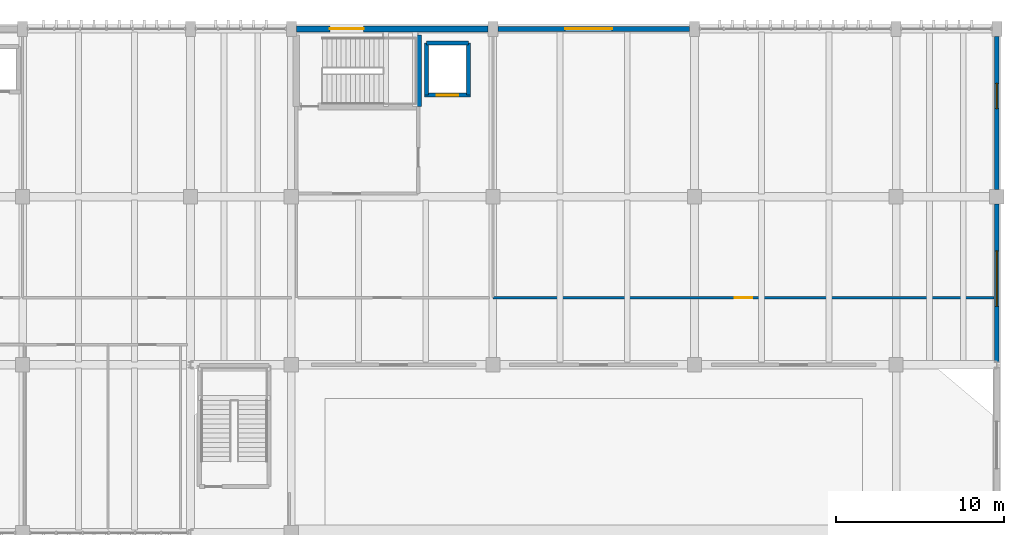
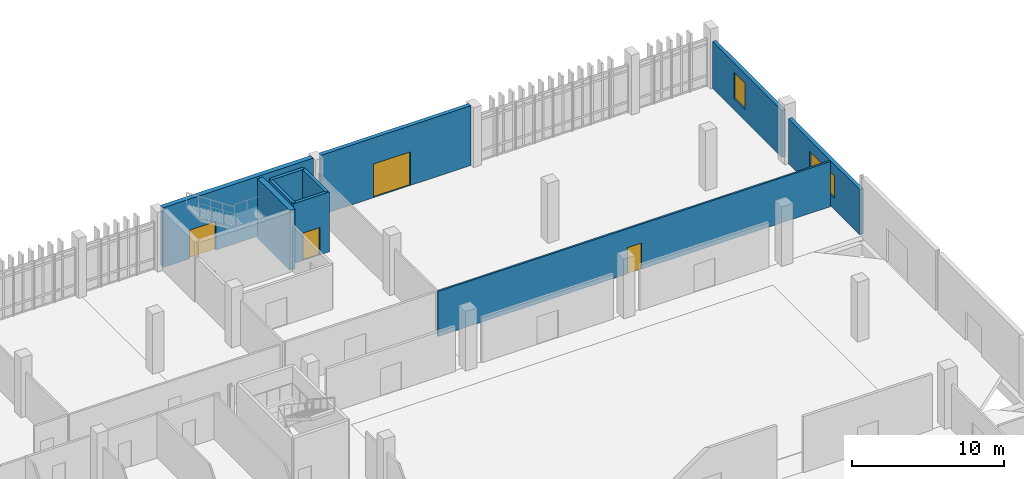
# One storey, part 78 of 87: 10 walls, 4 doors, 2 windows, 6 openings.
"""IFC4 building model written with IfcOpenShell, lengths in metres."""

from ifc_helpers import new_model, si_unit, direction, frame, frame_2d, origin, place, context, subcontext, project, spatial, rectangle, extrude, material, layer, layer_set, type_object, element, fill, save


model = new_model("IFC4")

# Units and contexts
model_context = context("Model", 3, precision=1e-05, world=origin(), true_north=direction((0.0, 1.0)))
body_context = subcontext(model_context, "Body", "Model", "MODEL_VIEW")
ifc_project = project(units=[si_unit("LENGTHUNIT", "METRE"), si_unit("AREAUNIT", "SQUARE_METRE"), si_unit("VOLUMEUNIT", "CUBIC_METRE"), si_unit("PLANEANGLEUNIT", "RADIAN"), si_unit("MASSUNIT", "GRAM", prefix="KILO")], contexts=[model_context])

# Site, building, storey
site_placement = place(None, origin())
site = spatial("IfcSite", under=ifc_project, at=site_placement, CompositionType="ELEMENT")
building_placement = place(site_placement, origin())
building = spatial("IfcBuilding", under=site, at=building_placement, Name="Mersad Railyard Sports Hall", CompositionType="ELEMENT")
storey_placement = place(building_placement, origin())
storey = spatial("IfcBuildingStorey", under=building, at=storey_placement, Name="L00", CompositionType="ELEMENT", Elevation=0.0)

# Wall, opening, door
ifc_material_1 = material(Name="Architectural concrete C40/50", Category="concrete")
ifc_layer_1 = layer(ifc_material_1, 0.300048828125)
ifc_layer_set_1 = layer_set([ifc_layer_1], Name="Architectural concrete C40/50")
wall_type_1 = type_object("IfcWallType", Name="ARC-WL-EW01", PredefinedType="SOLIDWALL", material=ifc_layer_set_1)
wall_1_placement = place(storey_placement, frame((149.300048828125, 115.0, 0.0), z_axis=(0.0, 0.0, 1.0), x_axis=(1.0, 0.0, 0.0)))
wall_1 = element("IfcWall", 1, at=wall_1_placement, inside=storey, type_object=wall_type_1, Name="External wall EW01-0102", PredefinedType="SOLIDWALL", context=body_context, shape_type="SweptSolid", body=[
    extrude(rectangle(XDim=11.39990234375, YDim=0.300048828125, at=frame_2d((5.699951171875, 0.0))), origin(), (0.0, 0.0, 1.0), 4.800048828125),
])
opening_1_placement = place(wall_1_placement, frame((4.0, 0.0, 0.0)))
opening_1 = element("IfcOpeningElement", 2, at=opening_1_placement, cuts=wall_1, Name="Opening GT01", PredefinedType="OPENING", context=body_context, shape_type="SweptSolid", body=[
    extrude(rectangle(XDim=2.800048828125, YDim=2.699951171875, at=frame_2d((1.39990234375, 1.35009765625))), frame((0.0, 0.159912109375, 0.0), z_axis=(0.0, -1.0, 0.0), x_axis=(1.0, 0.0, 0.0)), (0.0, 0.0, 1.0), 0.320068359375),
])
ifc_material_2 = material(Name="Steel S355", Category="steel")
door_type_1 = type_object("IfcDoorType", Name="ARC-DR-GT01", OperationType="NOTDEFINED", PredefinedType="GATE", material=ifc_material_2)
door_1_placement = place(opening_1_placement, origin())
door_1 = element("IfcDoor", 3, at=door_1_placement, inside=storey, type_object=door_type_1, Name="North service gate GT01-036", OperationType="DOUBLE_DOOR_SINGLE_SWING", OverallHeight=2.699951171875, OverallWidth=2.800048828125, PredefinedType="GATE", context=body_context, shape_type="SweptSolid", body=[
    extrude(rectangle(XDim=2.800048828125, YDim=2.699951171875, at=frame_2d((1.39990234375, 1.35009765625))), frame((0.0, 0.02490234375, 0.0), z_axis=(0.0, -1.0, 0.0), x_axis=(1.0, 0.0, 0.0)), (0.0, 0.0, 1.0), 0.050048828125),
])
fill(opening_1, door_1)

ifc_material_3 = material(Name="Architectural concrete C50/60", Category="concrete")
ifc_layer_2 = layer(ifc_material_3, 0.35009765625)
ifc_layer_set_2 = layer_set([ifc_layer_2], Name="Architectural concrete C50/60")
wall_type_2 = type_object("IfcWallType", Name="ARC-WL-EW02", PredefinedType="SOLIDWALL", material=ifc_layer_set_2)
wall_2_placement = place(storey_placement, frame((137.300048828125, 115.0, 0.0), z_axis=(0.0, 0.0, 1.0), x_axis=(1.0, 0.0, 0.0)))
wall_2 = element("IfcWall", 4, at=wall_2_placement, inside=storey, type_object=wall_type_2, Name="External wall EW02-0101", PredefinedType="SOLIDWALL", context=body_context, shape_type="SweptSolid", body=[
    extrude(rectangle(XDim=11.39990234375, YDim=0.35009765625, at=frame_2d((5.699951171875, 0.0))), origin(), (0.0, 0.0, 1.0), 4.800048828125),
])
opening_2_placement = place(wall_2_placement, frame((2.0, 0.0, 0.0)))
opening_2 = element("IfcOpeningElement", 5, at=opening_2_placement, cuts=wall_2, Name="Opening ED03", PredefinedType="OPENING", context=body_context, shape_type="SweptSolid", body=[
    extrude(rectangle(XDim=2.0, YDim=2.300048828125, at=frame_2d((1.0, 1.14990234375))), frame((0.0, 0.18505859375, 0.0), z_axis=(0.0, -1.0, 0.0), x_axis=(1.0, 0.0, 0.0)), (0.0, 0.0, 1.0), 0.3701171875),
])
door_type_2 = type_object("IfcDoorType", Name="ARC-DR-ED03", OperationType="NOTDEFINED", PredefinedType="DOOR", material=ifc_material_2)
door_2_placement = place(opening_2_placement, origin())
door_2 = element("IfcDoor", 6, at=door_2_placement, inside=storey, type_object=door_type_2, Name="Stair final exit door ED03-035", OperationType="DOUBLE_DOOR_SINGLE_SWING", OverallHeight=2.300048828125, OverallWidth=2.0, PredefinedType="DOOR", context=body_context, shape_type="SweptSolid", body=[
    extrude(rectangle(XDim=2.0, YDim=2.300048828125, at=frame_2d((1.0, 1.14990234375))), frame((0.0, 0.02490234375, 0.0), z_axis=(0.0, -1.0, 0.0), x_axis=(1.0, 0.0, 0.0)), (0.0, 0.0, 1.0), 0.050048828125),
])
fill(opening_2, door_2)

# Wall, opening, window
ifc_material_4 = material(Name="Precast concrete C45/55", Category="concrete")
ifc_layer_3 = layer(ifc_material_4, 0.280029296875)
ifc_layer_set_3 = layer_set([ifc_layer_3], Name="Precast concrete C45/55")
wall_type_3 = type_object("IfcWallType", Name="ARC-WL-EW03", PredefinedType="SOLIDWALL", material=ifc_layer_set_3)
wall_3_placement = place(storey_placement, frame((179.0, 104.574951171875, 0.0), z_axis=(0.0, 0.0, 1.0), x_axis=(0.0, -1.0, 0.0)))
wall_3 = element("IfcWall", 7, at=wall_3_placement, inside=storey, type_object=wall_type_3, Name="External wall EW03-0109", PredefinedType="SOLIDWALL", context=body_context, shape_type="SweptSolid", body=[
    extrude(rectangle(XDim=9.39501953125, YDim=0.280029296875, at=frame_2d((4.697509765625, 0.0))), origin(), (0.0, 0.0, 1.0), 3.625),
])
opening_3_placement = place(wall_3_placement, frame((2.800048828125, 0.0, 0.89990234375)))
opening_3 = element("IfcOpeningElement", 8, at=opening_3_placement, cuts=wall_3, Name="Opening W16", PredefinedType="OPENING", context=body_context, shape_type="SweptSolid", body=[
    extrude(rectangle(XDim=3.300048828125, YDim=1.800048828125, at=frame_2d((1.64990234375, 0.89990234375))), frame((0.0, 0.14990234375, 0.0), z_axis=(0.0, -1.0, 0.0), x_axis=(1.0, 0.0, 0.0)), (0.0, 0.0, 1.0), 0.300048828125),
])
ifc_material_5 = material(Name="Solar-control glass", Category="glass")
window_type_1 = type_object("IfcWindowType", Name="ARC-WN-W16", PartitioningType="DOUBLE_PANEL_VERTICAL", PredefinedType="WINDOW", material=ifc_material_5)
window_1_placement = place(opening_3_placement, origin())
window_1 = element("IfcWindow", 9, at=window_1_placement, inside=storey, type_object=window_type_1, Name="Window W16-0026", OverallHeight=1.800048828125, OverallWidth=3.300048828125, PartitioningType="DOUBLE_PANEL_VERTICAL", PredefinedType="WINDOW", context=body_context, shape_type="SweptSolid", body=[
    extrude(rectangle(XDim=3.300048828125, YDim=1.800048828125, at=frame_2d((1.64990234375, 0.89990234375))), frame((0.0, 0.030029296875, 0.0), z_axis=(0.0, -1.0, 0.0), x_axis=(1.0, 0.0, 0.0)), (0.0, 0.0, 1.0), 0.06005859375),
])
fill(opening_3, window_1)

wall_4_placement = place(storey_placement, frame((179.0, 114.550048828125, 0.0), z_axis=(0.0, 0.0, 1.0), x_axis=(0.0, -1.0, 0.0)))
wall_4 = element("IfcWall", 10, at=wall_4_placement, inside=storey, type_object=wall_type_3, Name="External wall EW03-0110", PredefinedType="SOLIDWALL", context=body_context, shape_type="SweptSolid", body=[
    extrude(rectangle(XDim=9.125, YDim=0.280029296875, at=frame_2d((4.5625, 0.0))), origin(), (0.0, 0.0, 1.0), 3.77490234375),
])
opening_4_placement = place(wall_4_placement, frame((2.800048828125, 0.0, 0.89990234375)))
opening_4 = element("IfcOpeningElement", 11, at=opening_4_placement, cuts=wall_4, Name="Opening W17", PredefinedType="OPENING", context=body_context, shape_type="SweptSolid", body=[
    extrude(rectangle(XDim=1.5, YDim=2.10009765625, at=frame_2d((0.75, 1.050048828125))), frame((0.0, 0.14990234375, 0.0), z_axis=(0.0, -1.0, 0.0), x_axis=(1.0, 0.0, 0.0)), (0.0, 0.0, 1.0), 0.300048828125),
])
window_type_2 = type_object("IfcWindowType", Name="ARC-WN-W17", PartitioningType="SINGLE_PANEL", PredefinedType="WINDOW", material=ifc_material_5)
window_2_placement = place(opening_4_placement, origin())
window_2 = element("IfcWindow", 12, at=window_2_placement, inside=storey, type_object=window_type_2, Name="Window W17-0027", OverallHeight=2.10009765625, OverallWidth=1.5, PartitioningType="SINGLE_PANEL", PredefinedType="WINDOW", context=body_context, shape_type="SweptSolid", body=[
    extrude(rectangle(XDim=1.5, YDim=2.10009765625, at=frame_2d((0.75, 1.050048828125))), frame((0.0, 0.030029296875, 0.0), z_axis=(0.0, -1.0, 0.0), x_axis=(1.0, 0.0, 0.0)), (0.0, 0.0, 1.0), 0.06005859375),
])
fill(opening_4, window_2)

# Wall, opening, door
ifc_material_6 = material(Name="Gypsum plasterboard", Category="gypsum")
ifc_layer_4 = layer(ifc_material_6, 0.139892578125)
ifc_layer_set_4 = layer_set([ifc_layer_4], Name="Gypsum plasterboard")
wall_type_4 = type_object("IfcWallType", Name="ARC-WL-PT03", PredefinedType="PARTITIONING", material=ifc_layer_set_4)
wall_5_placement = place(storey_placement, frame((149.0, 99.0, 0.0), z_axis=(0.0, 0.0, 1.0), x_axis=(1.0, 0.0, 0.0)))
wall_5 = element("IfcWall", 13, at=wall_5_placement, inside=storey, type_object=wall_type_4, Name="Interior wall PT03-0429", PredefinedType="PARTITIONING", context=body_context, shape_type="SweptSolid", body=[
    extrude(rectangle(XDim=29.820068359375, YDim=0.139892578125, at=frame_2d((14.91015625, 0.0))), origin(), (0.0, 0.0, 1.0), 3.625),
])
opening_5_placement = place(wall_5_placement, frame((14.385009765625, 0.0, 0.0)))
opening_5 = element("IfcOpeningElement", 14, at=opening_5_placement, cuts=wall_5, Name="Opening FD07", PredefinedType="OPENING", context=body_context, shape_type="SweptSolid", body=[
    extrude(rectangle(XDim=1.050048828125, YDim=2.10009765625, at=frame_2d((0.52490234375, 1.050048828125))), frame((0.0, 0.079833984375, 0.0), z_axis=(0.0, -1.0, 0.0), x_axis=(1.0, 0.0, 0.0)), (0.0, 0.0, 1.0), 0.159912109375),
])
door_type_3 = type_object("IfcDoorType", Name="ARC-DR-FD07", OperationType="NOTDEFINED", PredefinedType="DOOR", material=ifc_material_2)
door_3_placement = place(opening_5_placement, origin())
door_3 = element("IfcDoor", 15, at=door_3_placement, inside=storey, type_object=door_type_3, Name="L00 north room door FD07-0192", OperationType="SINGLE_SWING_RIGHT", OverallHeight=2.10009765625, OverallWidth=1.050048828125, PredefinedType="DOOR", context=body_context, shape_type="SweptSolid", body=[
    extrude(rectangle(XDim=1.050048828125, YDim=2.10009765625, at=frame_2d((0.52490234375, 1.050048828125))), frame((0.0, 0.02490234375, 0.0), z_axis=(0.0, -1.0, 0.0), x_axis=(1.0, 0.0, 0.0)), (0.0, 0.0, 1.0), 0.050048828125),
])
fill(opening_5, door_3)

# Walls
ifc_material_7 = material(Name="Concrete C50/60", Category="concrete")
ifc_layer_5 = layer(ifc_material_7, 0.39990234375)
ifc_layer_set_5 = layer_set([ifc_layer_5], Name="Concrete C50/60")
wall_type_5 = type_object("IfcWallType", Name="STR-WL-SW01", PredefinedType="SHEAR", material=ifc_layer_set_5)
wall_6_placement = place(storey_placement, frame((144.550048828125, 110.3798828125, 0.0), z_axis=(0.0, 0.0, 1.0), x_axis=(0.0, 1.0, 0.0)))
element("IfcWall", 16, at=wall_6_placement, inside=storey, type_object=wall_type_5, Name="Interior wall SW01-0285", PredefinedType="SHEAR", context=body_context, shape_type="SweptSolid", body=[
    extrude(rectangle(XDim=4.240234375, YDim=0.39990234375, at=frame_2d((2.1201171875, 0.0))), origin(), (0.0, 0.0, 1.0), 4.800048828125),
])
ifc_material_8 = material(Name="Concrete C40/50", Category="concrete")
ifc_layer_6 = layer(ifc_material_8, 0.239990234375)
ifc_layer_set_6 = layer_set([ifc_layer_6], Name="Concrete C40/50")
wall_type_6 = type_object("IfcWallType", Name="STR-WL-SW03", PredefinedType="SHEAR", material=ifc_layer_set_6)
for number, where, z_axis, x_axis, name in (
    (17, (145.050048828125, 111.050048828125, 0.0), (0.0, 0.0, 1.0), (0.0, 1.0, 0.0), "Interior wall SW03-0085"),
    (18, (147.550048828125, 114.14990234375, 0.0), (0.0, 0.0, 1.0), (0.0, -1.0, 0.0), "Interior wall SW03-0086"),
):
    element("IfcWall", number, at=place(storey_placement, frame(where, z_axis=z_axis, x_axis=x_axis)), inside=storey, type_object=wall_type_6, Name=name, PredefinedType="SHEAR", context=body_context, shape_type="SweptSolid", body=[
        extrude(rectangle(XDim=3.099853515625, YDim=0.239990234375, at=frame_2d((1.5498046875, 0.0))), origin(), (0.0, 0.0, 1.0), 4.800048828125),
    ])
wall_7_placement = place(storey_placement, frame((145.050048828125, 114.14990234375, 0.0), z_axis=(0.0, 0.0, 1.0), x_axis=(1.0, 0.0, 0.0)))
element("IfcWall", 19, at=wall_7_placement, inside=storey, type_object=wall_type_6, Name="Interior wall SW03-0087", PredefinedType="SHEAR", context=body_context, shape_type="SweptSolid", body=[
    extrude(rectangle(XDim=2.5, YDim=0.239990234375, at=frame_2d((1.25, 0.0))), origin(), (0.0, 0.0, 1.0), 4.800048828125),
])

# Wall, opening, door
wall_8_placement = place(storey_placement, frame((147.669921875, 111.050048828125, 0.0), z_axis=(0.0, 0.0, 1.0), x_axis=(-1.0, 0.0, 0.0)))
wall_8 = element("IfcWall", 20, at=wall_8_placement, inside=storey, type_object=wall_type_6, Name="Interior wall SW03-0088", PredefinedType="SHEAR", context=body_context, shape_type="SweptSolid", body=[
    extrude(rectangle(XDim=2.739990234375, YDim=0.239990234375, at=frame_2d((1.3701171875, 0.0))), origin(), (0.0, 0.0, 1.0), 4.800048828125),
])
opening_6_placement = place(wall_8_placement, frame((0.719970703125, 0.0, 0.0)))
opening_6 = element("IfcOpeningElement", 21, at=opening_6_placement, cuts=wall_8, Name="Opening LD03", PredefinedType="OPENING", context=body_context, shape_type="SweptSolid", body=[
    extrude(rectangle(XDim=1.300048828125, YDim=2.199951171875, at=frame_2d((0.64990234375, 1.10009765625))), frame((0.0, 0.1298828125, 0.0), z_axis=(0.0, -1.0, 0.0), x_axis=(1.0, 0.0, 0.0)), (0.0, 0.0, 1.0), 0.260009765625),
])
door_type_4 = type_object("IfcDoorType", Name="ARC-DR-LD03", OperationType="NOTDEFINED", PredefinedType="USERDEFINED", material=ifc_material_2)
door_4_placement = place(opening_6_placement, origin())
door_4 = element("IfcDoor", 22, at=door_4_placement, inside=storey, type_object=door_type_4, Name="Lift PL-04 landing door LD03-0023", ObjectType="LANDING DOOR", OperationType="DOUBLE_DOOR_SLIDING", OverallHeight=2.199951171875, OverallWidth=1.300048828125, PredefinedType="USERDEFINED", context=body_context, shape_type="SweptSolid", body=[
    extrude(rectangle(XDim=1.300048828125, YDim=2.199951171875, at=frame_2d((0.64990234375, 1.10009765625))), frame((0.0, 0.02490234375, 0.0), z_axis=(0.0, -1.0, 0.0), x_axis=(1.0, 0.0, 0.0)), (0.0, 0.0, 1.0), 0.050048828125),
])
fill(opening_6, door_4)

save(model, "model.ifc")
